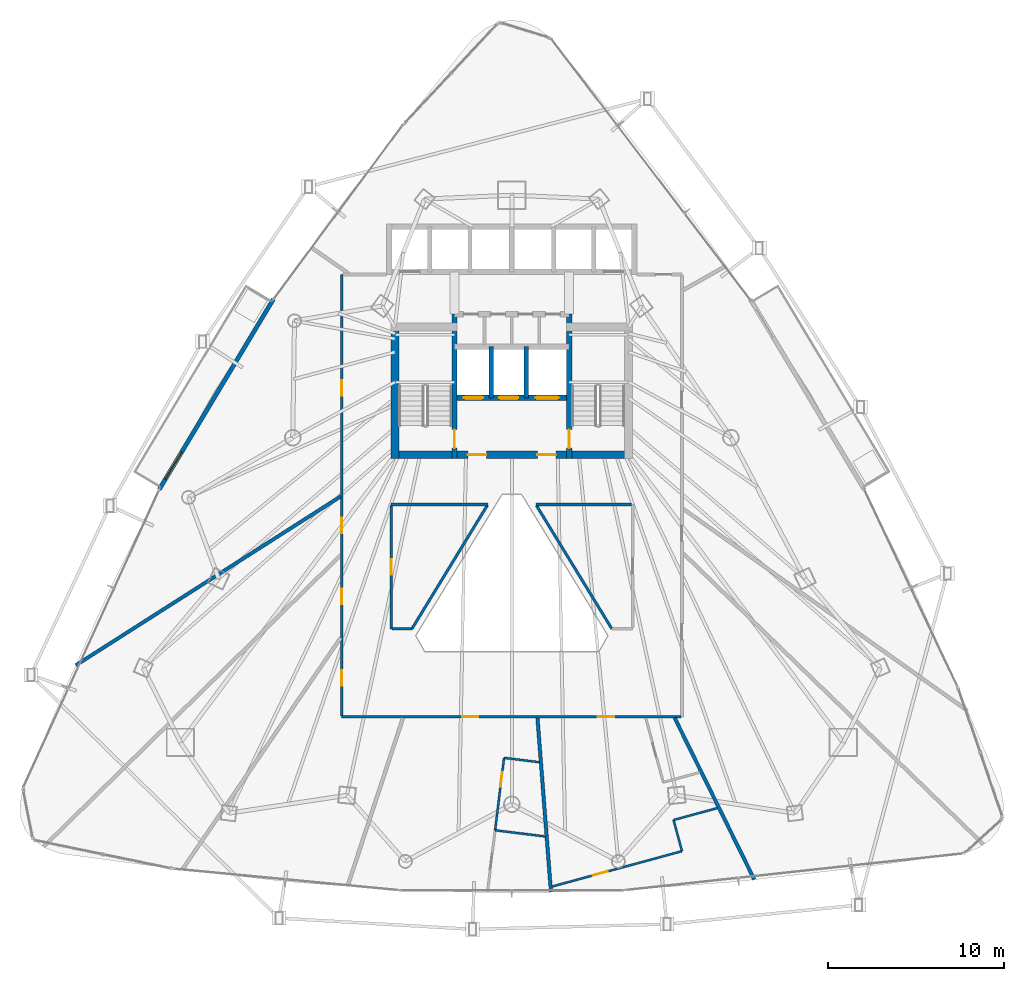
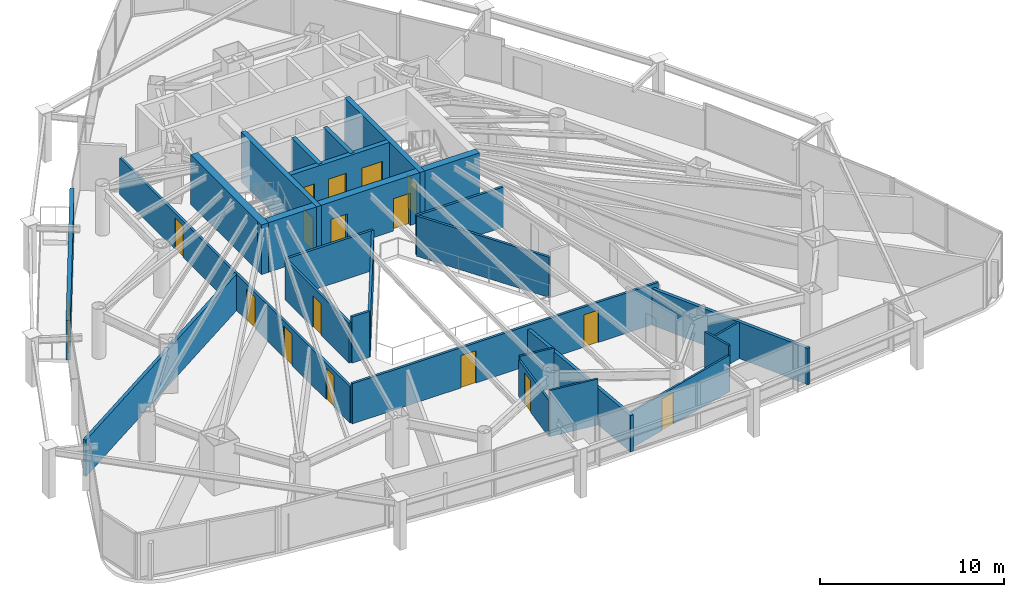
# One storey, part 28 of 33: 25 walls, 17 doors, 17 openings.
"""IFC4 building model written with IfcOpenShell, lengths in metres."""

from ifc_helpers import new_model, si_unit, direction, frame, frame_2d, origin, place, context, subcontext, project, spatial, rectangle, extrude, material, layer, layer_set, type_object, element, fill, save


model = new_model("IFC4")

# Units and contexts
model_context = context("Model", 3, precision=1e-05, world=origin(), true_north=direction((0.0, 1.0)))
body_context = subcontext(model_context, "Body", "Model", "MODEL_VIEW")
ifc_project = project(units=[si_unit("LENGTHUNIT", "METRE"), si_unit("AREAUNIT", "SQUARE_METRE"), si_unit("VOLUMEUNIT", "CUBIC_METRE"), si_unit("PLANEANGLEUNIT", "RADIAN"), si_unit("MASSUNIT", "GRAM", prefix="KILO")], contexts=[model_context])

# Site, building, storey
site_placement = place(None, origin())
site = spatial("IfcSite", under=ifc_project, at=site_placement, CompositionType="ELEMENT")
building_placement = place(site_placement, origin())
building = spatial("IfcBuilding", under=site, at=building_placement, Name="Orvanel Arch Residences", CompositionType="ELEMENT")
storey_placement = place(building_placement, frame((0.0, 0.0, 70.85009765625)))
storey = spatial("IfcBuildingStorey", under=building, at=storey_placement, Name="L19", CompositionType="ELEMENT", Elevation=70.85009765625)

# Wall, opening, door
ifc_material_1 = material(Name="Precast concrete N50 (50 MPa)", Category="concrete")
ifc_layer_1 = layer(ifc_material_1, 0.239990234375)
ifc_layer_set_1 = layer_set([ifc_layer_1], Name="Precast concrete N50 (50 MPa)")
wall_type_1 = type_object("IfcWallType", Name="EW-BAL-240", PredefinedType="SOLIDWALL", material=ifc_layer_set_1)
wall_1_placement = place(storey_placement, frame((19.472900390625, 35.5009765625, 0.0), z_axis=(0.0, 0.0, 1.0), x_axis=(-0.514333361126, -0.857590341382, 0.0)))
wall_1 = element("IfcWall", 1, at=wall_1_placement, inside=storey, type_object=wall_type_1, Name="L19 Balcony Threshold Wall Face 1", PredefinedType="SOLIDWALL", context=body_context, shape_type="SweptSolid", body=[
    extrude(rectangle(XDim=12.6025390625, YDim=0.239990234375, at=frame_2d((6.30126953125, 0.0))), origin(), (0.0, 0.0, 1.0), 2.6240234375),
])
opening_1_placement = place(wall_1_placement, frame((10.10498046875, 0.0, 0.0)))
opening_1 = element("IfcOpeningElement", 2, at=opening_1_placement, cuts=wall_1, Name="Opening DB-180", PredefinedType="OPENING", context=body_context, shape_type="SweptSolid", body=[
    extrude(rectangle(XDim=1.800048828125, YDim=2.199951171875, at=frame_2d((0.89990234375, 1.10009765625))), frame((0.0, 0.1298828125, 0.0), z_axis=(0.0, -1.0, 0.0), x_axis=(1.0, 0.0, 0.0)), (0.0, 0.0, 1.0), 0.260009765625),
])
ifc_material_2 = material(Name="Bronze-anodised aluminium AA6063-T6", Category="aluminium")
door_type_1 = type_object("IfcDoorType", Name="DR-BAL-1800", OperationType="NOTDEFINED", PredefinedType="DOOR", material=ifc_material_2)
door_1_placement = place(opening_1_placement, origin())
door_1 = element("IfcDoor", 3, at=door_1_placement, inside=storey, type_object=door_type_1, Name="DR-L19-BAL-F1 L19 Planted Balcony Access Door Face 1", OperationType="SINGLE_SWING_LEFT", OverallHeight=2.199951171875, OverallWidth=1.800048828125, PredefinedType="DOOR", context=body_context, shape_type="SweptSolid", body=[
    extrude(rectangle(XDim=1.800048828125, YDim=2.199951171875, at=frame_2d((0.89990234375, 1.10009765625))), frame((0.0, 0.02490234375, 0.0), z_axis=(0.0, -1.0, 0.0), x_axis=(1.0, 0.0, 0.0)), (0.0, 0.0, 1.0), 0.050048828125),
])
fill(opening_1, door_1)

# Walls
ifc_material_3 = material(Name="Concrete N50 (50 MPa)", Category="concrete")
ifc_layer_2 = layer(ifc_material_3, 0.25)
ifc_layer_set_2 = layer_set([ifc_layer_2], Name="Concrete N50 (50 MPa)")
wall_type_2 = type_object("IfcWallType", Name="SW-CORE-250", PredefinedType="SHEAR", material=ifc_layer_set_2)
for number, where, z_axis, x_axis, name in (
    (4, (31.824951171875, 29.89990234375, 0.0), (0.0, 0.0, 1.0), (0.0, 1.0, 0.0), "L19 Emergency Lift Inter-Shaft Wall F12"),
    (5, (33.824951171875, 29.89990234375, 0.0), (0.0, 0.0, 1.0), (0.0, 1.0, 0.0), "L19 Emergency Lift Inter-Shaft Wall F2G"),
):
    element("IfcWall", number, at=place(storey_placement, frame(where, z_axis=z_axis, x_axis=x_axis)), inside=storey, type_object=wall_type_2, Name=name, PredefinedType="SHEAR", context=body_context, shape_type="SweptSolid", body=[
        extrude(rectangle(XDim=2.900146484375, YDim=0.25, at=frame_2d((1.4501953125, 0.0))), origin(), (0.0, 0.0, 1.0), 3.2998046875),
    ])

# Wall, opening, door
ifc_material_4 = material(Name="Concrete S80 (80 MPa)", Category="concrete")
ifc_layer_3 = layer(ifc_material_4, 0.300048828125)
ifc_layer_set_3 = layer_set([ifc_layer_3], Name="Concrete S80 (80 MPa)")
wall_type_3 = type_object("IfcWallType", Name="SW-CORE-300", PredefinedType="SHEAR", material=ifc_layer_set_3)
wall_2_placement = place(storey_placement, frame((29.75, 26.449951171875, 0.0), z_axis=(0.0, 0.0, 1.0), x_axis=(0.0, 1.0, 0.0)))
wall_2 = element("IfcWall", 6, at=wall_2_placement, inside=storey, type_object=wall_type_3, Name="L19 West Inner Core Spine Shear Wall", PredefinedType="SHEAR", context=body_context, shape_type="SweptSolid", body=[
    extrude(rectangle(XDim=8.199951171875, YDim=0.300048828125, at=frame_2d((4.10009765625, 0.0))), origin(), (0.0, 0.0, 1.0), 3.2998046875),
])
opening_2_placement = place(wall_2_placement, frame((0.60009765625, 0.0, 0.0)))
opening_2 = element("IfcOpeningElement", 7, at=opening_2_placement, cuts=wall_2, Name="Opening DF-120", PredefinedType="OPENING", context=body_context, shape_type="SweptSolid", body=[
    extrude(rectangle(XDim=1.050048828125, YDim=2.14990234375, at=frame_2d((0.52490234375, 1.074951171875))), frame((0.0, 0.159912109375, 0.0), z_axis=(0.0, -1.0, 0.0), x_axis=(1.0, 0.0, 0.0)), (0.0, 0.0, 1.0), 0.320068359375),
])
ifc_material_5 = material(Name="Galvanised steel fire-resisting door assembly", Category="steel")
door_type_2 = type_object("IfcDoorType", Name="DR-FD120-1050", OperationType="NOTDEFINED", PredefinedType="DOOR", material=ifc_material_5)
door_2_placement = place(opening_2_placement, origin())
door_2 = element("IfcDoor", 8, at=door_2_placement, inside=storey, type_object=door_type_2, Name="DR-L19-ST1 L19 Stair 1 Fire Door", OperationType="SINGLE_SWING_LEFT", OverallHeight=2.14990234375, OverallWidth=1.050048828125, PredefinedType="DOOR", context=body_context, shape_type="SweptSolid", body=[
    extrude(rectangle(XDim=1.050048828125, YDim=2.14990234375, at=frame_2d((0.52490234375, 1.074951171875))), frame((0.0, 0.02490234375, 0.0), z_axis=(0.0, -1.0, 0.0), x_axis=(1.0, 0.0, 0.0)), (0.0, 0.0, 1.0), 0.050048828125),
])
fill(opening_2, door_2)

wall_3_placement = place(storey_placement, frame((36.25, 26.449951171875, 0.0), z_axis=(0.0, 0.0, 1.0), x_axis=(0.0, 1.0, 0.0)))
wall_3 = element("IfcWall", 9, at=wall_3_placement, inside=storey, type_object=wall_type_3, Name="L19 East Inner Core Spine Shear Wall", PredefinedType="SHEAR", context=body_context, shape_type="SweptSolid", body=[
    extrude(rectangle(XDim=8.199951171875, YDim=0.300048828125, at=frame_2d((4.10009765625, 0.0))), origin(), (0.0, 0.0, 1.0), 3.2998046875),
])
opening_3_placement = place(wall_3_placement, frame((0.60009765625, 0.0, 0.0)))
opening_3 = element("IfcOpeningElement", 10, at=opening_3_placement, cuts=wall_3, Name="Opening DF-120", PredefinedType="OPENING", context=body_context, shape_type="SweptSolid", body=[
    extrude(rectangle(XDim=1.050048828125, YDim=2.14990234375, at=frame_2d((0.52490234375, 1.074951171875))), frame((0.0, 0.159912109375, 0.0), z_axis=(0.0, -1.0, 0.0), x_axis=(1.0, 0.0, 0.0)), (0.0, 0.0, 1.0), 0.320068359375),
])
door_3_placement = place(opening_3_placement, origin())
door_3 = element("IfcDoor", 11, at=door_3_placement, inside=storey, type_object=door_type_2, Name="DR-L19-ST2 L19 Stair 2 Fire Door", OperationType="SINGLE_SWING_RIGHT", OverallHeight=2.14990234375, OverallWidth=1.050048828125, PredefinedType="DOOR", context=body_context, shape_type="SweptSolid", body=[
    extrude(rectangle(XDim=1.050048828125, YDim=2.14990234375, at=frame_2d((0.52490234375, 1.074951171875))), frame((0.0, 0.02490234375, 0.0), z_axis=(0.0, -1.0, 0.0), x_axis=(1.0, 0.0, 0.0)), (0.0, 0.0, 1.0), 0.050048828125),
])
fill(opening_3, door_3)

# Wall, openings, doors
wall_4_placement = place(storey_placement, frame((36.25, 29.89990234375, 0.0), z_axis=(0.0, 0.0, 1.0), x_axis=(-1.0, 0.0, 0.0)))
wall_4 = element("IfcWall", 12, at=wall_4_placement, inside=storey, type_object=wall_type_3, Name="L19 Emergency Lift Front Core Shear Wall", PredefinedType="SHEAR", context=body_context, shape_type="SweptSolid", body=[
    extrude(rectangle(XDim=6.5, YDim=0.300048828125, at=frame_2d((3.25, 0.0))), origin(), (0.0, 0.0, 1.0), 3.2998046875),
])
opening_4_placement = place(wall_4_placement, frame((4.875, 0.0, 0.0)))
opening_4 = element("IfcOpeningElement", 13, at=opening_4_placement, cuts=wall_4, Name="Opening LD-110", PredefinedType="OPENING", context=body_context, shape_type="SweptSolid", body=[
    extrude(rectangle(XDim=1.10009765625, YDim=2.199951171875, at=frame_2d((0.550048828125, 1.10009765625))), frame((0.0, 0.159912109375, 0.0), z_axis=(0.0, -1.0, 0.0), x_axis=(1.0, 0.0, 0.0)), (0.0, 0.0, 1.0), 0.320068359375),
])
opening_5_placement = place(wall_4_placement, frame((2.875, 0.0, 0.0)))
opening_5 = element("IfcOpeningElement", 14, at=opening_5_placement, cuts=wall_4, Name="Opening LD-110", PredefinedType="OPENING", context=body_context, shape_type="SweptSolid", body=[
    extrude(rectangle(XDim=1.10009765625, YDim=2.199951171875, at=frame_2d((0.550048828125, 1.10009765625))), frame((0.0, 0.159912109375, 0.0), z_axis=(0.0, -1.0, 0.0), x_axis=(1.0, 0.0, 0.0)), (0.0, 0.0, 1.0), 0.320068359375),
])
opening_6_placement = place(wall_4_placement, frame((0.60009765625, 0.0, 0.0)))
opening_6 = element("IfcOpeningElement", 15, at=opening_6_placement, cuts=wall_4, Name="Opening LD-130", PredefinedType="OPENING", context=body_context, shape_type="SweptSolid", body=[
    extrude(rectangle(XDim=1.300048828125, YDim=2.199951171875, at=frame_2d((0.64990234375, 1.10009765625))), frame((0.0, 0.159912109375, 0.0), z_axis=(0.0, -1.0, 0.0), x_axis=(1.0, 0.0, 0.0)), (0.0, 0.0, 1.0), 0.320068359375),
])
door_type_3 = type_object("IfcDoorType", Name="DR-LFT-1100", OperationType="NOTDEFINED", PredefinedType="DOOR", material=ifc_material_5)
door_4_placement = place(opening_4_placement, origin())
door_4 = element("IfcDoor", 16, at=door_4_placement, inside=storey, type_object=door_type_3, Name="LD-F1-L19 L19 Lift F1 Sliding Landing Door", OperationType="DOUBLE_DOOR_SLIDING", OverallHeight=2.199951171875, OverallWidth=1.10009765625, PredefinedType="DOOR", context=body_context, shape_type="SweptSolid", body=[
    extrude(rectangle(XDim=1.10009765625, YDim=2.199951171875, at=frame_2d((0.550048828125, 1.10009765625))), frame((0.0, 0.02490234375, 0.0), z_axis=(0.0, -1.0, 0.0), x_axis=(1.0, 0.0, 0.0)), (0.0, 0.0, 1.0), 0.050048828125),
])
fill(opening_4, door_4)
door_5_placement = place(opening_5_placement, origin())
door_5 = element("IfcDoor", 17, at=door_5_placement, inside=storey, type_object=door_type_3, Name="LD-F2-L19 L19 Lift F2 Sliding Landing Door", OperationType="DOUBLE_DOOR_SLIDING", OverallHeight=2.199951171875, OverallWidth=1.10009765625, PredefinedType="DOOR", context=body_context, shape_type="SweptSolid", body=[
    extrude(rectangle(XDim=1.10009765625, YDim=2.199951171875, at=frame_2d((0.550048828125, 1.10009765625))), frame((0.0, 0.02490234375, 0.0), z_axis=(0.0, -1.0, 0.0), x_axis=(1.0, 0.0, 0.0)), (0.0, 0.0, 1.0), 0.050048828125),
])
fill(opening_5, door_5)
door_type_4 = type_object("IfcDoorType", Name="DR-LFT-1300", OperationType="NOTDEFINED", PredefinedType="DOOR", material=ifc_material_5)
door_6_placement = place(opening_6_placement, origin())
door_6 = element("IfcDoor", 18, at=door_6_placement, inside=storey, type_object=door_type_4, Name="LD-G1-L19 L19 Lift G1 Sliding Landing Door", OperationType="DOUBLE_DOOR_SLIDING", OverallHeight=2.199951171875, OverallWidth=1.300048828125, PredefinedType="DOOR", context=body_context, shape_type="SweptSolid", body=[
    extrude(rectangle(XDim=1.300048828125, YDim=2.199951171875, at=frame_2d((0.64990234375, 1.10009765625))), frame((0.0, 0.02490234375, 0.0), z_axis=(0.0, -1.0, 0.0), x_axis=(1.0, 0.0, 0.0)), (0.0, 0.0, 1.0), 0.050048828125),
])
fill(opening_6, door_6)

ifc_layer_4 = layer(ifc_material_4, 0.449951171875)
ifc_layer_set_4 = layer_set([ifc_layer_4], Name="Concrete S80 (80 MPa)")
wall_type_4 = type_object("IfcWallType", Name="SW-CORE-450", PredefinedType="SHEAR", material=ifc_layer_set_4)
wall_5_placement = place(storey_placement, frame((26.14990234375, 26.675048828125, 0.0), z_axis=(0.0, 0.0, 1.0), x_axis=(1.0, 0.0, 0.0)))
wall_5 = element("IfcWall", 19, at=wall_5_placement, inside=storey, type_object=wall_type_4, Name="L19 South Core Shear Wall", PredefinedType="SHEAR", context=body_context, shape_type="SweptSolid", body=[
    extrude(rectangle(XDim=13.7001953125, YDim=0.449951171875, at=frame_2d((6.85009765625, 0.0))), origin(), (0.0, 0.0, 1.0), 3.2998046875),
])
opening_7_placement = place(wall_5_placement, frame((4.35009765625, 0.0, 0.0)))
opening_7 = element("IfcOpeningElement", 20, at=opening_7_placement, cuts=wall_5, Name="Opening DF-060", PredefinedType="OPENING", context=body_context, shape_type="SweptSolid", body=[
    extrude(rectangle(XDim=1.050048828125, YDim=2.14990234375, at=frame_2d((0.52490234375, 1.074951171875))), frame((0.0, 0.23486328125, 0.0), z_axis=(0.0, -1.0, 0.0), x_axis=(1.0, 0.0, 0.0)), (0.0, 0.0, 1.0), 0.469970703125),
])
opening_8_placement = place(wall_5_placement, frame((8.300048828125, 0.0, 0.0)))
opening_8 = element("IfcOpeningElement", 21, at=opening_8_placement, cuts=wall_5, Name="Opening DF-060", PredefinedType="OPENING", context=body_context, shape_type="SweptSolid", body=[
    extrude(rectangle(XDim=1.050048828125, YDim=2.14990234375, at=frame_2d((0.52490234375, 1.074951171875))), frame((0.0, 0.23486328125, 0.0), z_axis=(0.0, -1.0, 0.0), x_axis=(1.0, 0.0, 0.0)), (0.0, 0.0, 1.0), 0.469970703125),
])
door_type_5 = type_object("IfcDoorType", Name="DR-FD60-1050", OperationType="NOTDEFINED", PredefinedType="DOOR", material=ifc_material_5)
door_7_placement = place(opening_7_placement, origin())
door_7 = element("IfcDoor", 22, at=door_7_placement, inside=storey, type_object=door_type_5, Name="DR-L19-FFL-W L19 West Smoke Lobby Door", OperationType="SINGLE_SWING_LEFT", OverallHeight=2.14990234375, OverallWidth=1.050048828125, PredefinedType="DOOR", context=body_context, shape_type="SweptSolid", body=[
    extrude(rectangle(XDim=1.050048828125, YDim=2.14990234375, at=frame_2d((0.52490234375, 1.074951171875))), frame((0.0, 0.02490234375, 0.0), z_axis=(0.0, -1.0, 0.0), x_axis=(1.0, 0.0, 0.0)), (0.0, 0.0, 1.0), 0.050048828125),
])
fill(opening_7, door_7)
door_8_placement = place(opening_8_placement, origin())
door_8 = element("IfcDoor", 23, at=door_8_placement, inside=storey, type_object=door_type_5, Name="DR-L19-FFL-E L19 East Smoke Lobby Door", OperationType="SINGLE_SWING_RIGHT", OverallHeight=2.14990234375, OverallWidth=1.050048828125, PredefinedType="DOOR", context=body_context, shape_type="SweptSolid", body=[
    extrude(rectangle(XDim=1.050048828125, YDim=2.14990234375, at=frame_2d((0.52490234375, 1.074951171875))), frame((0.0, 0.02490234375, 0.0), z_axis=(0.0, -1.0, 0.0), x_axis=(1.0, 0.0, 0.0)), (0.0, 0.0, 1.0), 0.050048828125),
])
fill(opening_8, door_8)

# Wall
wall_6_placement = place(storey_placement, frame((26.375, 26.449951171875, 0.0), z_axis=(0.0, 0.0, 1.0), x_axis=(0.0, 1.0, 0.0)))
element("IfcWall", 24, at=wall_6_placement, inside=storey, type_object=wall_type_4, Name="L19 West Stair Shear Wall", PredefinedType="SHEAR", context=body_context, shape_type="SweptSolid", body=[
    extrude(rectangle(XDim=7.699951171875, YDim=0.449951171875, at=frame_2d((3.85009765625, 0.0))), origin(), (0.0, 0.0, 1.0), 3.2998046875),
])

# Wall, openings, doors
ifc_material_6 = material(Name="Fire-rated plasterboard lined steel stud partition", Category="steel")
ifc_layer_5 = layer(ifc_material_6, 0.14990234375)
ifc_layer_set_5 = layer_set([ifc_layer_5], Name="Fire-rated plasterboard lined steel stud partition")
wall_type_5 = type_object("IfcWallType", Name="W-COR-150", PredefinedType="PARTITIONING", material=ifc_layer_set_5)
wall_7_placement = place(storey_placement, frame((42.590087890625, 11.800048828125, 0.0), z_axis=(0.0, 0.0, 1.0), x_axis=(-1.0, 0.0, 0.0)))
wall_7 = element("IfcWall", 25, at=wall_7_placement, inside=storey, type_object=wall_type_5, Name="L19 Corridor Fire-Rated Partition", PredefinedType="PARTITIONING", context=body_context, shape_type="SweptSolid", body=[
    extrude(rectangle(XDim=19.239990234375, YDim=0.14990234375, at=frame_2d((9.6201171875, 0.0))), origin(), (0.0, 0.0, 1.0), 2.6689453125),
])
opening_9_placement = place(wall_7_placement, frame((11.489013671875, 0.0, 0.0)))
opening_9 = element("IfcOpeningElement", 26, at=opening_9_placement, cuts=wall_7, Name="Opening DA-092", PredefinedType="OPENING", context=body_context, shape_type="SweptSolid", body=[
    extrude(rectangle(XDim=0.919921875, YDim=2.14990234375, at=frame_2d((0.4599609375, 1.074951171875))), frame((0.0, 0.0849609375, 0.0), z_axis=(0.0, -1.0, 0.0), x_axis=(1.0, 0.0, 0.0)), (0.0, 0.0, 1.0), 0.169921875),
])
opening_10_placement = place(wall_7_placement, frame((3.787109375, 0.0, 0.0)))
opening_10 = element("IfcOpeningElement", 27, at=opening_10_placement, cuts=wall_7, Name="Opening DA-092", PredefinedType="OPENING", context=body_context, shape_type="SweptSolid", body=[
    extrude(rectangle(XDim=0.919921875, YDim=2.14990234375, at=frame_2d((0.4599609375, 1.074951171875))), frame((0.0, 0.0849609375, 0.0), z_axis=(0.0, -1.0, 0.0), x_axis=(1.0, 0.0, 0.0)), (0.0, 0.0, 1.0), 0.169921875),
])
ifc_material_7 = material(Name="Solid-core European oak veneer fire door leaf", Category="wood")
door_type_6 = type_object("IfcDoorType", Name="DR-APT-920", OperationType="NOTDEFINED", PredefinedType="DOOR", material=ifc_material_7)
door_9_placement = place(opening_9_placement, origin())
door_9 = element("IfcDoor", 28, at=door_9_placement, inside=storey, type_object=door_type_6, Name="DR-L19-G-ENT L19 Studio G Entrance Door", OperationType="SINGLE_SWING_RIGHT", OverallHeight=2.14990234375, OverallWidth=0.919921875, PredefinedType="DOOR", context=body_context, shape_type="SweptSolid", body=[
    extrude(rectangle(XDim=0.919921875, YDim=2.14990234375, at=frame_2d((0.4599609375, 1.074951171875))), frame((0.0, 0.02490234375, 0.0), z_axis=(0.0, -1.0, 0.0), x_axis=(1.0, 0.0, 0.0)), (0.0, 0.0, 1.0), 0.050048828125),
])
fill(opening_9, door_9)
door_10_placement = place(opening_10_placement, origin())
door_10 = element("IfcDoor", 29, at=door_10_placement, inside=storey, type_object=door_type_6, Name="DR-L19-H-ENT L19 Studio H Entrance Door", OperationType="SINGLE_SWING_LEFT", OverallHeight=2.14990234375, OverallWidth=0.919921875, PredefinedType="DOOR", context=body_context, shape_type="SweptSolid", body=[
    extrude(rectangle(XDim=0.919921875, YDim=2.14990234375, at=frame_2d((0.4599609375, 1.074951171875))), frame((0.0, 0.02490234375, 0.0), z_axis=(0.0, -1.0, 0.0), x_axis=(1.0, 0.0, 0.0)), (0.0, 0.0, 1.0), 0.050048828125),
])
fill(opening_10, door_10)

wall_8_placement = place(storey_placement, frame((23.35009765625, 11.860107421875, 0.0), z_axis=(0.0, 0.0, 1.0), x_axis=(0.0, 1.0, 0.0)))
wall_8 = element("IfcWall", 30, at=wall_8_placement, inside=storey, type_object=wall_type_5, Name="L19 Corridor Fire-Rated Partition", PredefinedType="PARTITIONING", context=body_context, shape_type="SweptSolid", body=[
    extrude(rectangle(XDim=25.039794921875, YDim=0.14990234375, at=frame_2d((12.52001953125, 0.0))), origin(), (0.0, 0.0, 1.0), 2.412841796875),
])
opening_11_placement = place(wall_8_placement, frame((18.154052734375, 0.0, 0.0)))
opening_11 = element("IfcOpeningElement", 31, at=opening_11_placement, cuts=wall_8, Name="Opening DI-088", PredefinedType="OPENING", context=body_context, shape_type="SweptSolid", body=[
    extrude(rectangle(XDim=0.8798828125, YDim=2.10009765625, at=frame_2d((0.43994140625, 1.050048828125))), frame((0.0, 0.0849609375, 0.0), z_axis=(0.0, -1.0, 0.0), x_axis=(1.0, 0.0, 0.0)), (0.0, 0.0, 1.0), 0.169921875),
])
opening_12_placement = place(wall_8_placement, frame((10.345947265625, 0.0, 0.0)))
opening_12 = element("IfcOpeningElement", 32, at=opening_12_placement, cuts=wall_8, Name="Opening DI-088", PredefinedType="OPENING", context=body_context, shape_type="SweptSolid", body=[
    extrude(rectangle(XDim=0.8798828125, YDim=2.10009765625, at=frame_2d((0.43994140625, 1.050048828125))), frame((0.0, 0.0849609375, 0.0), z_axis=(0.0, -1.0, 0.0), x_axis=(1.0, 0.0, 0.0)), (0.0, 0.0, 1.0), 0.169921875),
])
opening_13_placement = place(wall_8_placement, frame((6.320068359375, 0.0, 0.0)))
opening_13 = element("IfcOpeningElement", 33, at=opening_13_placement, cuts=wall_8, Name="Opening DI-088", PredefinedType="OPENING", context=body_context, shape_type="SweptSolid", body=[
    extrude(rectangle(XDim=0.8798828125, YDim=2.10009765625, at=frame_2d((0.43994140625, 1.050048828125))), frame((0.0, 0.0849609375, 0.0), z_axis=(0.0, -1.0, 0.0), x_axis=(1.0, 0.0, 0.0)), (0.0, 0.0, 1.0), 0.169921875),
])
opening_14_placement = place(wall_8_placement, frame((1.718994140625, 0.0, 0.0)))
opening_14 = element("IfcOpeningElement", 34, at=opening_14_placement, cuts=wall_8, Name="Opening DI-088", PredefinedType="OPENING", context=body_context, shape_type="SweptSolid", body=[
    extrude(rectangle(XDim=0.8798828125, YDim=2.10009765625, at=frame_2d((0.43994140625, 1.050048828125))), frame((0.0, 0.0849609375, 0.0), z_axis=(0.0, -1.0, 0.0), x_axis=(1.0, 0.0, 0.0)), (0.0, 0.0, 1.0), 0.169921875),
])
door_type_7 = type_object("IfcDoorType", Name="DR-INT-880", OperationType="NOTDEFINED", PredefinedType="DOOR", material=ifc_material_7)
door_11_placement = place(opening_11_placement, origin())
door_11 = element("IfcDoor", 35, at=door_11_placement, inside=storey, type_object=door_type_7, Name="DR-L19-SHRD-FB4 L19 Co-Working Study Office D Door", OperationType="SINGLE_SWING_LEFT", OverallHeight=2.10009765625, OverallWidth=0.8798828125, PredefinedType="DOOR", context=body_context, shape_type="SweptSolid", body=[
    extrude(rectangle(XDim=0.8798828125, YDim=2.10009765625, at=frame_2d((0.43994140625, 1.050048828125))), frame((0.0, 0.02490234375, 0.0), z_axis=(0.0, -1.0, 0.0), x_axis=(1.0, 0.0, 0.0)), (0.0, 0.0, 1.0), 0.050048828125),
])
fill(opening_11, door_11)
door_12_placement = place(opening_12_placement, origin())
door_12 = element("IfcDoor", 36, at=door_12_placement, inside=storey, type_object=door_type_7, Name="DR-L19-SHRD-FB5 L19 Co-Working Study Office E Door", OperationType="SINGLE_SWING_LEFT", OverallHeight=2.10009765625, OverallWidth=0.8798828125, PredefinedType="DOOR", context=body_context, shape_type="SweptSolid", body=[
    extrude(rectangle(XDim=0.8798828125, YDim=2.10009765625, at=frame_2d((0.43994140625, 1.050048828125))), frame((0.0, 0.02490234375, 0.0), z_axis=(0.0, -1.0, 0.0), x_axis=(1.0, 0.0, 0.0)), (0.0, 0.0, 1.0), 0.050048828125),
])
fill(opening_12, door_12)
door_13_placement = place(opening_13_placement, origin())
door_13 = element("IfcDoor", 37, at=door_13_placement, inside=storey, type_object=door_type_7, Name="DR-L19-SHRD-FB6 L19 Co-Working Study Office F Door", OperationType="SINGLE_SWING_LEFT", OverallHeight=2.10009765625, OverallWidth=0.8798828125, PredefinedType="DOOR", context=body_context, shape_type="SweptSolid", body=[
    extrude(rectangle(XDim=0.8798828125, YDim=2.10009765625, at=frame_2d((0.43994140625, 1.050048828125))), frame((0.0, 0.02490234375, 0.0), z_axis=(0.0, -1.0, 0.0), x_axis=(1.0, 0.0, 0.0)), (0.0, 0.0, 1.0), 0.050048828125),
])
fill(opening_13, door_13)
door_14_placement = place(opening_14_placement, origin())
door_14 = element("IfcDoor", 38, at=door_14_placement, inside=storey, type_object=door_type_7, Name="DR-L19-SHRD-FB10 L19 Co-Working Study Office J Door", OperationType="SINGLE_SWING_LEFT", OverallHeight=2.10009765625, OverallWidth=0.8798828125, PredefinedType="DOOR", context=body_context, shape_type="SweptSolid", body=[
    extrude(rectangle(XDim=0.8798828125, YDim=2.10009765625, at=frame_2d((0.43994140625, 1.050048828125))), frame((0.0, 0.02490234375, 0.0), z_axis=(0.0, -1.0, 0.0), x_axis=(1.0, 0.0, 0.0)), (0.0, 0.0, 1.0), 0.050048828125),
])
fill(opening_14, door_14)

# Wall
wall_9_placement = place(storey_placement, frame((31.636962890625, 23.85009765625, 0.0), z_axis=(0.0, 0.0, 1.0), x_axis=(-1.0, 0.0, 0.0)))
element("IfcWall", 39, at=wall_9_placement, inside=storey, type_object=wall_type_5, Name="L19 Corridor Fire-Rated Partition", PredefinedType="PARTITIONING", context=body_context, shape_type="SweptSolid", body=[
    extrude(rectangle(XDim=5.487060546875, YDim=0.14990234375, at=frame_2d((2.74365234375, 0.0))), origin(), (0.0, 0.0, 1.0), 2.6689453125),
])

# Wall, opening, door
wall_10_placement = place(storey_placement, frame((26.14990234375, 23.7900390625, 0.0), z_axis=(0.0, 0.0, 1.0), x_axis=(0.0, -1.0, 0.0)))
wall_10 = element("IfcWall", 40, at=wall_10_placement, inside=storey, type_object=wall_type_5, Name="L19 Corridor Fire-Rated Partition", PredefinedType="PARTITIONING", context=body_context, shape_type="SweptSolid", body=[
    extrude(rectangle(XDim=6.989990234375, YDim=0.14990234375, at=frame_2d((3.4951171875, 0.0))), origin(), (0.0, 0.0, 1.0), 2.6689453125),
])
opening_15_placement = place(wall_10_placement, frame((3.054931640625, 0.0, 0.0)))
opening_15 = element("IfcOpeningElement", 41, at=opening_15_placement, cuts=wall_10, Name="Opening DI-088", PredefinedType="OPENING", context=body_context, shape_type="SweptSolid", body=[
    extrude(rectangle(XDim=0.8798828125, YDim=2.10009765625, at=frame_2d((0.43994140625, 1.050048828125))), frame((0.0, 0.0849609375, 0.0), z_axis=(0.0, -1.0, 0.0), x_axis=(1.0, 0.0, 0.0)), (0.0, 0.0, 1.0), 0.169921875),
])
door_15_placement = place(opening_15_placement, origin())
door_15 = element("IfcDoor", 42, at=door_15_placement, inside=storey, type_object=door_type_7, Name="DR-L19-SHRD-FB12 L19 Co-Working Study Office L Door", OperationType="SINGLE_SWING_LEFT", OverallHeight=2.10009765625, OverallWidth=0.8798828125, PredefinedType="DOOR", context=body_context, shape_type="SweptSolid", body=[
    extrude(rectangle(XDim=0.8798828125, YDim=2.10009765625, at=frame_2d((0.43994140625, 1.050048828125))), frame((0.0, 0.02490234375, 0.0), z_axis=(0.0, -1.0, 0.0), x_axis=(1.0, 0.0, 0.0)), (0.0, 0.0, 1.0), 0.050048828125),
])
fill(opening_15, door_15)

# Walls
wall_11_placement = place(storey_placement, frame((26.2099609375, 16.800048828125, 0.0), z_axis=(0.0, 0.0, 1.0), x_axis=(1.0, 0.0, 0.0)))
element("IfcWall", 43, at=wall_11_placement, inside=storey, type_object=wall_type_5, Name="L19 Corridor Fire-Rated Partition", PredefinedType="PARTITIONING", context=body_context, shape_type="SweptSolid", body=[
    extrude(rectangle(XDim=1.116943359375, YDim=0.14990234375, at=frame_2d((0.55859375, 0.0))), origin(), (0.0, 0.0, 1.0), 3.059814453125),
])
wall_12_placement = place(storey_placement, frame((39.7900390625, 23.85009765625, 0.0), z_axis=(0.0, 0.0, 1.0), x_axis=(-1.0, 0.0, 0.0)))
element("IfcWall", 44, at=wall_12_placement, inside=storey, type_object=wall_type_5, Name="L19 Corridor Fire-Rated Partition", PredefinedType="PARTITIONING", context=body_context, shape_type="SweptSolid", body=[
    extrude(rectangle(XDim=5.427001953125, YDim=0.14990234375, at=frame_2d((2.71337890625, 0.0))), origin(), (0.0, 0.0, 1.0), 2.6689453125),
])
wall_13_placement = place(storey_placement, frame((27.326904296875, 16.7900390625, 0.0), z_axis=(0.0, 0.0, 1.0), x_axis=(0.521129693902, 0.853477499489, 0.0)))
element("IfcWall", 45, at=wall_13_placement, inside=storey, type_object=wall_type_5, Name="L19 Atrium Overlook Glazed Partition", PredefinedType="PARTITIONING", context=body_context, shape_type="SweptSolid", body=[
    extrude(rectangle(XDim=8.20166015625, YDim=0.14990234375, at=frame_2d((4.100830078125, 0.0))), origin(), (0.0, 0.0, 1.0), 2.6689453125),
])
wall_14_placement = place(storey_placement, frame((34.39892578125, 23.7900390625, 0.0), z_axis=(0.0, 0.0, 1.0), x_axis=(0.521619930676, -0.853177969665, 0.0)))
element("IfcWall", 46, at=wall_14_placement, inside=storey, type_object=wall_type_5, Name="L19 Atrium Overlook Glazed Partition", PredefinedType="PARTITIONING", context=body_context, shape_type="SweptSolid", body=[
    extrude(rectangle(XDim=8.194091796875, YDim=0.14990234375, at=frame_2d((4.09716796875, 0.0))), origin(), (0.0, 0.0, 1.0), 2.6689453125),
])
ifc_layer_6 = layer(ifc_material_6, 0.199951171875)
ifc_layer_set_6 = layer_set([ifc_layer_6], Name="Fire-rated plasterboard lined steel stud partition")
wall_type_6 = type_object("IfcWallType", Name="W-DEM-200", PredefinedType="PARTITIONING", material=ifc_layer_set_6)
wall_15_placement = place(storey_placement, frame((46.75390625, 2.575927734375, 0.0), z_axis=(0.0, 0.0, 1.0), x_axis=(-0.441871352221, 0.897078429172, 0.0)))
element("IfcWall", 47, at=wall_15_placement, inside=storey, type_object=wall_type_6, Name="L19 Inter-Tenancy Acoustic Demising Wall", PredefinedType="PARTITIONING", context=body_context, shape_type="SweptSolid", body=[
    extrude(rectangle(XDim=10.21533203125, YDim=0.199951171875, at=frame_2d((5.107666015625, 0.0))), origin(), (0.0, 0.0, 1.0), 2.412841796875),
])
wall_16_placement = place(storey_placement, frame((23.2900390625, 24.31005859375, 0.0), z_axis=(0.0, 0.0, 1.0), x_axis=(-0.843217726059, -0.537572196509, 0.0)))
element("IfcWall", 48, at=wall_16_placement, inside=storey, type_object=wall_type_6, Name="L19 Inter-Tenancy Acoustic Demising Wall", PredefinedType="PARTITIONING", context=body_context, shape_type="SweptSolid", body=[
    extrude(rectangle(XDim=17.8173828125, YDim=0.199951171875, at=frame_2d((8.90869140625, 0.0))), origin(), (0.0, 0.0, 1.0), 2.412841796875),
])
wall_17_placement = place(storey_placement, frame((34.4541015625, 11.739990234375, 0.0), z_axis=(0.0, 0.0, 1.0), x_axis=(0.077354581403, -0.997003645297, 0.0)))
element("IfcWall", 49, at=wall_17_placement, inside=storey, type_object=wall_type_6, Name="L19 Inter-Tenancy Acoustic Demising Wall", PredefinedType="PARTITIONING", context=body_context, shape_type="SweptSolid", body=[
    extrude(rectangle(XDim=9.90087890625, YDim=0.199951171875, at=frame_2d((4.950439453125, 0.0))), origin(), (0.0, 0.0, 1.0), 2.412841796875),
])
ifc_material_8 = material(Name="Acoustic plasterboard lined twin-stud partition", Category="gypsum")
ifc_layer_7 = layer(ifc_material_8, 0.1201171875)
ifc_layer_set_7 = layer_set([ifc_layer_7], Name="Acoustic plasterboard lined twin-stud partition")
wall_type_7 = type_object("IfcWallType", Name="W-WET-120", PredefinedType="PARTITIONING", material=ifc_layer_set_7)
wall_18_placement = place(storey_placement, frame((34.56298828125, 9.23095703125, 0.0), z_axis=(0.0, 0.0, 1.0), x_axis=(-0.992492062854, 0.122309055968, 0.0)))
element("IfcWall", 50, at=wall_18_placement, inside=storey, type_object=wall_type_7, Name="L19 Studio G Bathroom Partition", PredefinedType="PARTITIONING", context=body_context, shape_type="SweptSolid", body=[
    extrude(rectangle(XDim=2.02001953125, YDim=0.1201171875, at=frame_2d((1.010009765625, 0.0))), origin(), (0.0, 0.0, 1.0), 2.6689453125),
])

# Wall, opening, door
wall_19_placement = place(storey_placement, frame((32.55810546875, 9.47802734375, 0.0), z_axis=(0.0, 0.0, 1.0), x_axis=(-0.122474226657, -0.992471694208, 0.0)))
wall_19 = element("IfcWall", 51, at=wall_19_placement, inside=storey, type_object=wall_type_7, Name="L19 Studio G Bathroom Partition", PredefinedType="PARTITIONING", context=body_context, shape_type="SweptSolid", body=[
    extrude(rectangle(XDim=4.140380859375, YDim=0.1201171875, at=frame_2d((2.0703125, 0.0))), origin(), (0.0, 0.0, 1.0), 2.412841796875),
])
opening_16_placement = place(wall_19_placement, frame((0.81591796875, 0.0, 0.0)))
opening_16 = element("IfcOpeningElement", 52, at=opening_16_placement, cuts=wall_19, Name="Opening DW-082", PredefinedType="OPENING", context=body_context, shape_type="SweptSolid", body=[
    extrude(rectangle(XDim=0.820068359375, YDim=2.10009765625, at=frame_2d((0.41015625, 1.050048828125))), frame((0.0, 0.070068359375, 0.0), z_axis=(0.0, -1.0, 0.0), x_axis=(1.0, 0.0, 0.0)), (0.0, 0.0, 1.0), 0.14013671875),
])
door_type_8 = type_object("IfcDoorType", Name="DR-WET-820", OperationType="NOTDEFINED", PredefinedType="DOOR", material=ifc_material_7)
door_16_placement = place(opening_16_placement, origin())
door_16 = element("IfcDoor", 53, at=door_16_placement, inside=storey, type_object=door_type_8, Name="DR-L19-G-BATH L19 Studio G Bathroom Door", OperationType="SINGLE_SWING_RIGHT", OverallHeight=2.10009765625, OverallWidth=0.820068359375, PredefinedType="DOOR", context=body_context, shape_type="SweptSolid", body=[
    extrude(rectangle(XDim=0.820068359375, YDim=2.10009765625, at=frame_2d((0.41015625, 1.050048828125))), frame((0.0, 0.02490234375, 0.0), z_axis=(0.0, -1.0, 0.0), x_axis=(1.0, 0.0, 0.0)), (0.0, 0.0, 1.0), 0.050048828125),
])
fill(opening_16, door_16)

# Walls
wall_20_placement = place(storey_placement, frame((34.889892578125, 5.01904296875, 0.0), z_axis=(0.0, 0.0, 1.0), x_axis=(-0.992491734807, 0.12231171792, 0.0)))
element("IfcWall", 54, at=wall_20_placement, inside=storey, type_object=wall_type_7, Name="L19 Studio G Bathroom Partition", PredefinedType="PARTITIONING", context=body_context, shape_type="SweptSolid", body=[
    extrude(rectangle(XDim=2.8603515625, YDim=0.1201171875, at=frame_2d((1.43017578125, 0.0))), origin(), (0.0, 0.0, 1.0), 3.059814453125),
])
wall_21_placement = place(storey_placement, frame((44.6630859375, 6.62890625, 0.0), z_axis=(0.0, 0.0, 1.0), x_axis=(-0.96494270204, -0.26246062901, 0.0)))
element("IfcWall", 55, at=wall_21_placement, inside=storey, type_object=wall_type_7, Name="L19 Studio H Internal Partition", PredefinedType="PARTITIONING", context=body_context, shape_type="SweptSolid", body=[
    extrude(rectangle(XDim=2.579345703125, YDim=0.1201171875, at=frame_2d((1.28955078125, 0.0))), origin(), (0.0, 0.0, 1.0), 2.412841796875),
])
wall_22_placement = place(storey_placement, frame((42.174072265625, 5.951904296875, 0.0), z_axis=(0.0, 0.0, 1.0), x_axis=(0.262519741064, -0.964926621848, 0.0)))
element("IfcWall", 56, at=wall_22_placement, inside=storey, type_object=wall_type_7, Name="L19 Studio H Internal Partition", PredefinedType="PARTITIONING", context=body_context, shape_type="SweptSolid", body=[
    extrude(rectangle(XDim=1.83203125, YDim=0.1201171875, at=frame_2d((0.916015625, 0.0))), origin(), (0.0, 0.0, 1.0), 3.059814453125),
])

# Wall, opening, door
wall_23_placement = place(storey_placement, frame((42.655029296875, 4.18408203125, 0.0), z_axis=(0.0, 0.0, 1.0), x_axis=(-0.964929508567, -0.26250913031, 0.0)))
wall_23 = element("IfcWall", 57, at=wall_23_placement, inside=storey, type_object=wall_type_7, Name="L19 Studio H Internal Partition", PredefinedType="PARTITIONING", context=body_context, shape_type="SweptSolid", body=[
    extrude(rectangle(XDim=7.64208984375, YDim=0.1201171875, at=frame_2d((3.821044921875, 0.0))), origin(), (0.0, 0.0, 1.0), 2.412841796875),
])
opening_17_placement = place(wall_23_placement, frame((4.367919921875, 0.0, 0.0)))
opening_17 = element("IfcOpeningElement", 58, at=opening_17_placement, cuts=wall_23, Name="Opening DI-088", PredefinedType="OPENING", context=body_context, shape_type="SweptSolid", body=[
    extrude(rectangle(XDim=0.8798828125, YDim=2.10009765625, at=frame_2d((0.43994140625, 1.050048828125))), frame((0.0, 0.070068359375, 0.0), z_axis=(0.0, -1.0, 0.0), x_axis=(1.0, 0.0, 0.0)), (0.0, 0.0, 1.0), 0.14013671875),
])
door_17_placement = place(opening_17_placement, origin())
door_17 = element("IfcDoor", 59, at=door_17_placement, inside=storey, type_object=door_type_7, Name="DR-L19-H-KIT L19 Studio H Kitchenette Door", OperationType="SINGLE_SWING_LEFT", OverallHeight=2.10009765625, OverallWidth=0.8798828125, PredefinedType="DOOR", context=body_context, shape_type="SweptSolid", body=[
    extrude(rectangle(XDim=0.8798828125, YDim=2.10009765625, at=frame_2d((0.43994140625, 1.050048828125))), frame((0.0, 0.02490234375, 0.0), z_axis=(0.0, -1.0, 0.0), x_axis=(1.0, 0.0, 0.0)), (0.0, 0.0, 1.0), 0.050048828125),
])
fill(opening_17, door_17)

save(model, "model.ifc")
